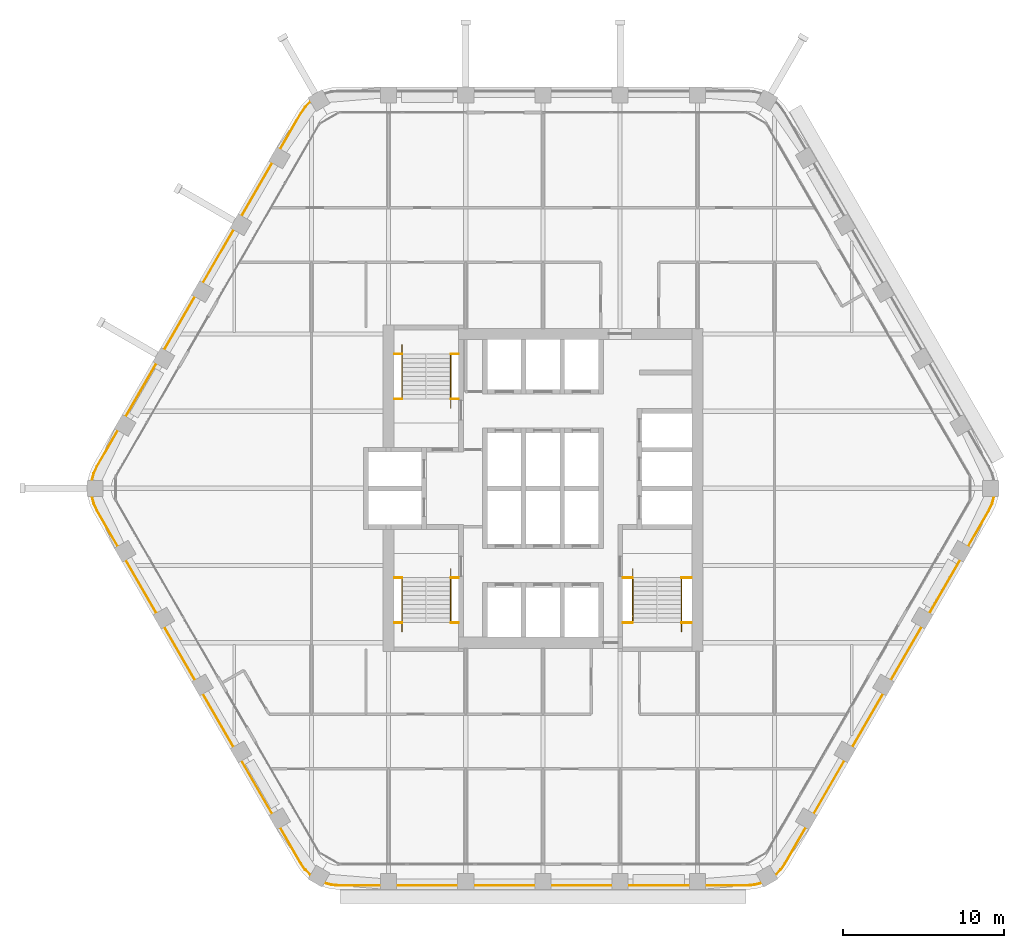
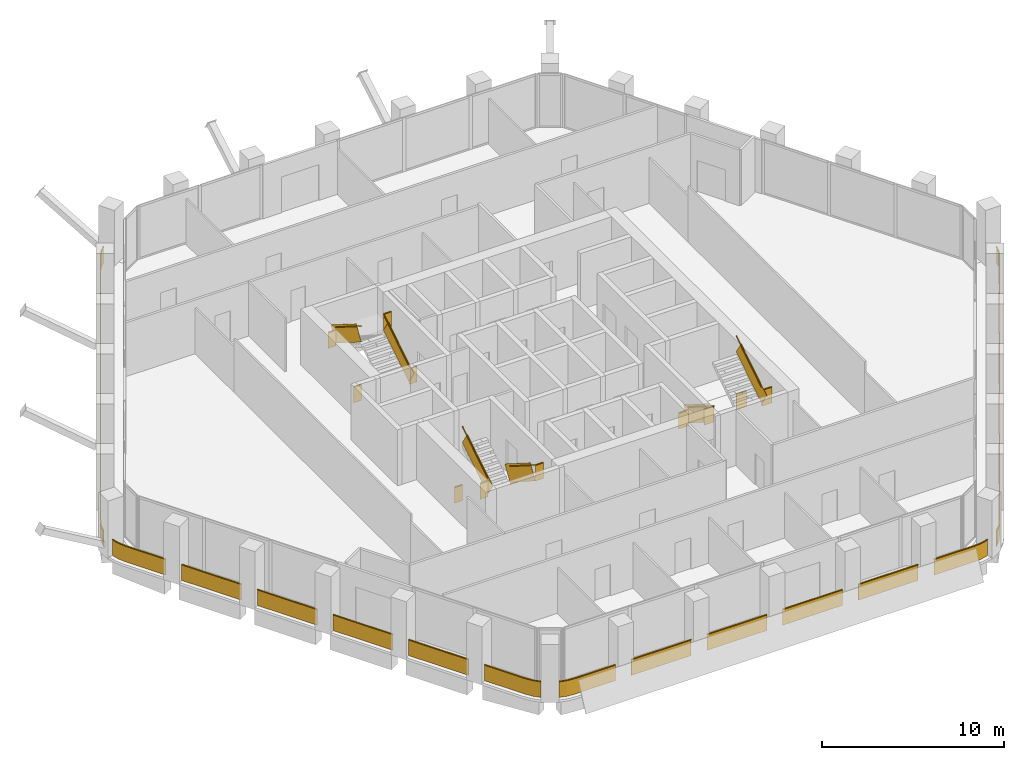
# One storey, part 15 of 16: 10 railings.
"""IFC4 building model written with IfcOpenShell, lengths in metres."""

from ifc_helpers import new_model, si_unit, direction, frame, frame_2d, origin, origin_2d, place, context, subcontext, project, spatial, rectangle, extrude, material, type_object, element, save


model = new_model("IFC4")

# Units and contexts
model_context = context("Model", 3, precision=1e-05, world=origin(), true_north=direction((0.0, 1.0)))
body_context = subcontext(model_context, "Body", "Model", "MODEL_VIEW")
ifc_project = project(units=[si_unit("LENGTHUNIT", "METRE"), si_unit("AREAUNIT", "SQUARE_METRE"), si_unit("VOLUMEUNIT", "CUBIC_METRE"), si_unit("PLANEANGLEUNIT", "RADIAN"), si_unit("MASSUNIT", "GRAM", prefix="KILO")], contexts=[model_context])

# Site, building, storey
site_placement = place(None, origin())
site = spatial("IfcSite", under=ifc_project, at=site_placement, CompositionType="ELEMENT")
building_placement = place(site_placement, origin())
building = spatial("IfcBuilding", under=site, at=building_placement, Name="Kolab Exchange Tower", CompositionType="ELEMENT")
storey_placement = place(building_placement, frame((0.0, 0.0, 146.60009765625)))
storey = spatial("IfcBuildingStorey", under=building, at=storey_placement, Name="L29", CompositionType="ELEMENT", Elevation=146.60009765625)

# Railings
ifc_material_1 = material(Name="Stainless steel 316", Category="steel")
railing_type_1 = type_object("IfcRailingType", Name="GUARD 1100", PredefinedType="GUARDRAIL", material=ifc_material_1)
railing_1_placement = place(storey_placement, frame((-9.25, 5.550048828125, 0.0)))
element("IfcRailing", 1, at=railing_1_placement, inside=storey, type_object=railing_type_1, Name="Guard ST1", PredefinedType="GUARDRAIL", context=body_context, shape_type="SweptSolid", body=[
    extrude(rectangle(XDim=0.05, YDim=0.05, at=origin_2d()), frame((0.0, 0.0, 1.0751953125), z_axis=(1.0, 0.0, 0.0), x_axis=(0.0, 1.0, 0.0)), (0.0, 0.0, 1.0), 0.489990234375),
    extrude(rectangle(XDim=0.012, YDim=1.05009765625, at=frame_2d((0.0, 0.525146484375))), frame((0.0, 0.0, 0.0), z_axis=(1.0, 0.0, 0.0), x_axis=(0.0, 1.0, 0.0)), (0.0, 0.0, 1.0), 0.489990234375),
    extrude(rectangle(XDim=0.05, YDim=0.05, at=origin_2d()), frame((3.510009765625, 0.0, 1.0751953125), z_axis=(1.0, 0.0, 0.0), x_axis=(0.0, 1.0, 0.0)), (0.0, 0.0, 1.0), 0.489990234375),
    extrude(rectangle(XDim=0.012, YDim=1.05009765625, at=frame_2d((0.0, 0.525146484375))), frame((3.510009765625, 0.0, 0.0), z_axis=(1.0, 0.0, 0.0), x_axis=(0.0, 1.0, 0.0)), (0.0, 0.0, 1.0), 0.489990234375),
    extrude(rectangle(XDim=0.05, YDim=0.05, at=origin_2d()), frame((0.0, 2.800048828125, 3.025146484375), z_axis=(1.0, 0.0, 0.0), x_axis=(0.0, 1.0, 0.0)), (0.0, 0.0, 1.0), 0.489990234375),
    extrude(rectangle(XDim=0.012, YDim=1.05009765625, at=frame_2d((0.0, 0.525146484375))), frame((0.0, 2.800048828125, 1.949951171875), z_axis=(1.0, 0.0, 0.0), x_axis=(0.0, 1.0, 0.0)), (0.0, 0.0, 1.0), 0.489990234375),
    extrude(rectangle(XDim=0.05, YDim=0.05, at=origin_2d()), frame((3.510009765625, 2.800048828125, 3.025146484375), z_axis=(1.0, 0.0, 0.0), x_axis=(0.0, 1.0, 0.0)), (0.0, 0.0, 1.0), 0.489990234375),
    extrude(rectangle(XDim=0.012, YDim=1.05009765625, at=frame_2d((0.0, 0.525146484375))), frame((3.510009765625, 2.800048828125, 1.949951171875), z_axis=(1.0, 0.0, 0.0), x_axis=(0.0, 1.0, 0.0)), (0.0, 0.0, 1.0), 0.489990234375),
])
railing_2_placement = place(storey_placement, frame((-5.739990234375, 5.550048828125, 0.17724609375)))
element("IfcRailing", 2, at=railing_2_placement, inside=storey, type_object=railing_type_1, Name="Handrail guard ST1", PredefinedType="GUARDRAIL", context=body_context, shape_type="SweptSolid", body=[
    extrude(rectangle(XDim=0.05, YDim=0.05, at=origin_2d()), frame((0.0, 0.0, 1.0751953125), z_axis=(0.0, 0.844908973607, 0.534910110503), x_axis=(-1.0, 0.0, 0.0)), (0.0, 0.0, 1.0), 3.31396484375),
    extrude(rectangle(XDim=0.012, YDim=1.05009765625, at=frame_2d((0.0, 0.525146484375))), frame((0.0, 0.0, 0.0), z_axis=(0.0, 0.844908973607, 0.534910110503), x_axis=(-1.0, 0.0, 0.0)), (0.0, 0.0, 1.0), 3.31396484375),
    extrude(rectangle(XDim=0.05, YDim=0.05, at=origin_2d()), frame((-3.02001953125, 2.800048828125, 3.025146484375), z_axis=(0.0, -0.844908973607, 0.534910110503), x_axis=(1.0, 0.0, 0.0)), (0.0, 0.0, 1.0), 3.31396484375),
    extrude(rectangle(XDim=0.012, YDim=1.05009765625, at=frame_2d((0.0, 0.525146484375))), frame((-3.02001953125, 2.800048828125, 1.949951171875), z_axis=(0.0, -0.844908973607, 0.534910110503), x_axis=(1.0, 0.0, 0.0)), (0.0, 0.0, 1.0), 3.31396484375),
])
railing_3_placement = place(storey_placement, frame((-9.25, -5.550048828125, 0.0)))
element("IfcRailing", 3, at=railing_3_placement, inside=storey, type_object=railing_type_1, Name="Guard ST3", PredefinedType="GUARDRAIL", context=body_context, shape_type="SweptSolid", body=[
    extrude(rectangle(XDim=0.05, YDim=0.05, at=origin_2d()), frame((0.0, 0.0, 1.0751953125), z_axis=(1.0, 0.0, 0.0), x_axis=(0.0, 1.0, 0.0)), (0.0, 0.0, 1.0), 0.489990234375),
    extrude(rectangle(XDim=0.012, YDim=1.05009765625, at=frame_2d((0.0, 0.525146484375))), frame((0.0, 0.0, 0.0), z_axis=(1.0, 0.0, 0.0), x_axis=(0.0, 1.0, 0.0)), (0.0, 0.0, 1.0), 0.489990234375),
    extrude(rectangle(XDim=0.05, YDim=0.05, at=origin_2d()), frame((3.510009765625, 0.0, 1.0751953125), z_axis=(1.0, 0.0, 0.0), x_axis=(0.0, 1.0, 0.0)), (0.0, 0.0, 1.0), 0.489990234375),
    extrude(rectangle(XDim=0.012, YDim=1.05009765625, at=frame_2d((0.0, 0.525146484375))), frame((3.510009765625, 0.0, 0.0), z_axis=(1.0, 0.0, 0.0), x_axis=(0.0, 1.0, 0.0)), (0.0, 0.0, 1.0), 0.489990234375),
    extrude(rectangle(XDim=0.05, YDim=0.05, at=origin_2d()), frame((0.0, -2.800048828125, 3.025146484375), z_axis=(1.0, 0.0, 0.0), x_axis=(0.0, 1.0, 0.0)), (0.0, 0.0, 1.0), 0.489990234375),
    extrude(rectangle(XDim=0.012, YDim=1.05009765625, at=frame_2d((0.0, 0.525146484375))), frame((0.0, -2.800048828125, 1.949951171875), z_axis=(1.0, 0.0, 0.0), x_axis=(0.0, 1.0, 0.0)), (0.0, 0.0, 1.0), 0.489990234375),
    extrude(rectangle(XDim=0.05, YDim=0.05, at=origin_2d()), frame((3.510009765625, -2.800048828125, 3.025146484375), z_axis=(1.0, 0.0, 0.0), x_axis=(0.0, 1.0, 0.0)), (0.0, 0.0, 1.0), 0.489990234375),
    extrude(rectangle(XDim=0.012, YDim=1.05009765625, at=frame_2d((0.0, 0.525146484375))), frame((3.510009765625, -2.800048828125, 1.949951171875), z_axis=(1.0, 0.0, 0.0), x_axis=(0.0, 1.0, 0.0)), (0.0, 0.0, 1.0), 0.489990234375),
])
railing_4_placement = place(storey_placement, frame((-5.739990234375, -5.550048828125, 0.17724609375)))
element("IfcRailing", 4, at=railing_4_placement, inside=storey, type_object=railing_type_1, Name="Handrail guard ST3", PredefinedType="GUARDRAIL", context=body_context, shape_type="SweptSolid", body=[
    extrude(rectangle(XDim=0.05, YDim=0.05, at=origin_2d()), frame((0.0, 0.0, 1.0751953125), z_axis=(0.0, -0.844908973607, 0.534910110503), x_axis=(1.0, 0.0, 0.0)), (0.0, 0.0, 1.0), 3.31396484375),
    extrude(rectangle(XDim=0.012, YDim=1.05009765625, at=frame_2d((0.0, 0.525146484375))), frame((0.0, 0.0, 0.0), z_axis=(0.0, -0.844908973607, 0.534910110503), x_axis=(1.0, 0.0, 0.0)), (0.0, 0.0, 1.0), 3.31396484375),
    extrude(rectangle(XDim=0.05, YDim=0.05, at=origin_2d()), frame((-3.02001953125, -2.800048828125, 3.025146484375), z_axis=(0.0, 0.844908973607, 0.534910110503), x_axis=(-1.0, 0.0, 0.0)), (0.0, 0.0, 1.0), 3.31396484375),
    extrude(rectangle(XDim=0.012, YDim=1.05009765625, at=frame_2d((0.0, 0.525146484375))), frame((-3.02001953125, -2.800048828125, 1.949951171875), z_axis=(0.0, 0.844908973607, 0.534910110503), x_axis=(-1.0, 0.0, 0.0)), (0.0, 0.0, 1.0), 3.31396484375),
])
railing_5_placement = place(storey_placement, frame((4.949951171875, -5.550048828125, 0.0)))
element("IfcRailing", 5, at=railing_5_placement, inside=storey, type_object=railing_type_1, Name="Guard ST2", PredefinedType="GUARDRAIL", context=body_context, shape_type="SweptSolid", body=[
    extrude(rectangle(XDim=0.05, YDim=0.05, at=origin_2d()), frame((0.0, 0.0, 1.0751953125), z_axis=(1.0, 0.0, 0.0), x_axis=(0.0, 1.0, 0.0)), (0.0, 0.0, 1.0), 0.64013671875),
    extrude(rectangle(XDim=0.012, YDim=1.05009765625, at=frame_2d((0.0, 0.525146484375))), frame((0.0, 0.0, 0.0), z_axis=(1.0, 0.0, 0.0), x_axis=(0.0, 1.0, 0.0)), (0.0, 0.0, 1.0), 0.64013671875),
    extrude(rectangle(XDim=0.05, YDim=0.05, at=origin_2d()), frame((3.66015625, 0.0, 1.0751953125), z_axis=(1.0, 0.0, 0.0), x_axis=(0.0, 1.0, 0.0)), (0.0, 0.0, 1.0), 0.639892578125),
    extrude(rectangle(XDim=0.012, YDim=1.05009765625, at=frame_2d((0.0, 0.525146484375))), frame((3.66015625, 0.0, 0.0), z_axis=(1.0, 0.0, 0.0), x_axis=(0.0, 1.0, 0.0)), (0.0, 0.0, 1.0), 0.639892578125),
    extrude(rectangle(XDim=0.05, YDim=0.05, at=origin_2d()), frame((0.0, -2.800048828125, 3.025146484375), z_axis=(1.0, 0.0, 0.0), x_axis=(0.0, 1.0, 0.0)), (0.0, 0.0, 1.0), 0.64013671875),
    extrude(rectangle(XDim=0.012, YDim=1.05009765625, at=frame_2d((0.0, 0.525146484375))), frame((0.0, -2.800048828125, 1.949951171875), z_axis=(1.0, 0.0, 0.0), x_axis=(0.0, 1.0, 0.0)), (0.0, 0.0, 1.0), 0.64013671875),
    extrude(rectangle(XDim=0.05, YDim=0.05, at=origin_2d()), frame((3.66015625, -2.800048828125, 3.025146484375), z_axis=(1.0, 0.0, 0.0), x_axis=(0.0, 1.0, 0.0)), (0.0, 0.0, 1.0), 0.639892578125),
    extrude(rectangle(XDim=0.012, YDim=1.05009765625, at=frame_2d((0.0, 0.525146484375))), frame((3.66015625, -2.800048828125, 1.949951171875), z_axis=(1.0, 0.0, 0.0), x_axis=(0.0, 1.0, 0.0)), (0.0, 0.0, 1.0), 0.639892578125),
])
railing_6_placement = place(storey_placement, frame((5.590087890625, -5.550048828125, 0.17724609375)))
element("IfcRailing", 6, at=railing_6_placement, inside=storey, type_object=railing_type_1, Name="Handrail guard ST2", PredefinedType="GUARDRAIL", context=body_context, shape_type="SweptSolid", body=[
    extrude(rectangle(XDim=0.05, YDim=0.05, at=origin_2d()), frame((0.0, 0.0, 1.0751953125), z_axis=(0.0, -0.844908973607, 0.534910110503), x_axis=(1.0, 0.0, 0.0)), (0.0, 0.0, 1.0), 3.31396484375),
    extrude(rectangle(XDim=0.012, YDim=1.05009765625, at=frame_2d((0.0, 0.525146484375))), frame((0.0, 0.0, 0.0), z_axis=(0.0, -0.844908973607, 0.534910110503), x_axis=(1.0, 0.0, 0.0)), (0.0, 0.0, 1.0), 3.31396484375),
    extrude(rectangle(XDim=0.05, YDim=0.05, at=origin_2d()), frame((3.02001953125, -2.800048828125, 3.025146484375), z_axis=(0.0, 0.844908973607, 0.534910110503), x_axis=(-1.0, 0.0, 0.0)), (0.0, 0.0, 1.0), 3.31396484375),
    extrude(rectangle(XDim=0.012, YDim=1.05009765625, at=frame_2d((0.0, 0.525146484375))), frame((3.02001953125, -2.800048828125, 1.949951171875), z_axis=(0.0, 0.844908973607, 0.534910110503), x_axis=(-1.0, 0.0, 0.0)), (0.0, 0.0, 1.0), 3.31396484375),
])
ifc_material_2 = material(Name="Steel S235", Category="steel")
railing_type_2 = type_object("IfcRailingType", Name="GUARD 1100 GLASS BALUSTRADE AND STEEL TOP RAIL", PredefinedType="GUARDRAIL", material=ifc_material_2)
railing_7_placement = place(storey_placement, frame((14.4501953125, -24.033447265625, 0.0)))
element("IfcRailing", 7, at=railing_7_placement, inside=storey, type_object=railing_type_2, Name="Guard", PredefinedType="GUARDRAIL", context=body_context, shape_type="SweptSolid", body=[
    extrude(rectangle(XDim=0.05, YDim=0.05, at=origin_2d()), frame((0.0, 0.0, 1.0751953125), z_axis=(0.70737286085, 0.706840601361, 0.0), x_axis=(-0.706840601361, 0.70737286085, 0.0)), (0.0, 0.0, 1.0), 0.458740234375),
    extrude(rectangle(XDim=0.012, YDim=1.05009765625, at=frame_2d((0.0, 0.525146484375))), frame((0.0, 0.0, 0.0), z_axis=(0.70737286085, 0.706840601361, 0.0), x_axis=(-0.706840601361, 0.70737286085, 0.0)), (0.0, 0.0, 1.0), 0.458740234375),
    extrude(rectangle(XDim=0.05, YDim=0.05, at=origin_2d()), frame((0.324462890625, 0.32421875, 1.0751953125), z_axis=(0.573599091554, 0.819136180478, 0.0), x_axis=(-0.819136180478, 0.573599091554, 0.0)), (0.0, 0.0, 1.0), 0.479248046875),
    extrude(rectangle(XDim=0.012, YDim=1.05009765625, at=frame_2d((0.0, 0.525146484375))), frame((0.324462890625, 0.32421875, 0.0), z_axis=(0.573599091554, 0.819136180478, 0.0), x_axis=(-0.819136180478, 0.573599091554, 0.0)), (0.0, 0.0, 1.0), 0.479248046875),
    extrude(rectangle(XDim=0.05, YDim=0.05, at=origin_2d()), frame((0.599365234375, 0.716796875, 1.0751953125), z_axis=(0.499952873616, 0.866052610505, 0.0), x_axis=(-0.866052610505, 0.499952873616, 0.0)), (0.0, 0.0, 1.0), 2.568115234375),
    extrude(rectangle(XDim=0.012, YDim=1.05009765625, at=frame_2d((0.0, 0.525146484375))), frame((0.599365234375, 0.716796875, 0.0), z_axis=(0.499952873616, 0.866052610505, 0.0), x_axis=(-0.866052610505, 0.499952873616, 0.0)), (0.0, 0.0, 1.0), 2.568115234375),
    extrude(rectangle(XDim=0.05, YDim=0.05, at=origin_2d()), frame((2.38330078125, 3.806884765625, 1.0751953125), z_axis=(0.499994975061, 0.866028304915, 0.0), x_axis=(-0.866028304915, 0.499994975061, 0.0)), (0.0, 0.0, 1.0), 3.7998046875),
    extrude(rectangle(XDim=0.012, YDim=1.05009765625, at=frame_2d((0.0, 0.525146484375))), frame((2.38330078125, 3.806884765625, 0.0), z_axis=(0.499994975061, 0.866028304915, 0.0), x_axis=(-0.866028304915, 0.499994975061, 0.0)), (0.0, 0.0, 1.0), 3.7998046875),
    extrude(rectangle(XDim=0.05, YDim=0.05, at=origin_2d()), frame((4.783203125, 7.9638671875, 1.0751953125), z_axis=(0.500043160704, 0.866000483506, 0.0), x_axis=(-0.866000483506, 0.500043160704, 0.0)), (0.0, 0.0, 1.0), 3.800048828125),
    extrude(rectangle(XDim=0.012, YDim=1.05009765625, at=frame_2d((0.0, 0.525146484375))), frame((4.783203125, 7.9638671875, 0.0), z_axis=(0.500043160704, 0.866000483506, 0.0), x_axis=(-0.866000483506, 0.500043160704, 0.0)), (0.0, 0.0, 1.0), 3.800048828125),
    extrude(rectangle(XDim=0.05, YDim=0.05, at=origin_2d()), frame((7.183349609375, 12.12060546875, 1.0751953125), z_axis=(0.499967155389, 0.866044365799, 0.0), x_axis=(-0.866044365799, 0.499967155389, 0.0)), (0.0, 0.0, 1.0), 3.800048828125),
    extrude(rectangle(XDim=0.012, YDim=1.05009765625, at=frame_2d((0.0, 0.525146484375))), frame((7.183349609375, 12.12060546875, 0.0), z_axis=(0.499967155389, 0.866044365799, 0.0), x_axis=(-0.866044365799, 0.499967155389, 0.0)), (0.0, 0.0, 1.0), 3.800048828125),
    extrude(rectangle(XDim=0.05, YDim=0.05, at=origin_2d()), frame((9.583251953125, 16.277587890625, 1.0751953125), z_axis=(0.500015340139, 0.86601654697, 0.0), x_axis=(-0.86601654697, 0.500015340139, 0.0)), (0.0, 0.0, 1.0), 3.80029296875),
    extrude(rectangle(XDim=0.012, YDim=1.05009765625, at=frame_2d((0.0, 0.525146484375))), frame((9.583251953125, 16.277587890625, 0.0), z_axis=(0.500015340139, 0.86601654697, 0.0), x_axis=(-0.86601654697, 0.500015340139, 0.0)), (0.0, 0.0, 1.0), 3.80029296875),
    extrude(rectangle(XDim=0.05, YDim=0.05, at=origin_2d()), frame((11.9833984375, 20.4345703125, 1.0751953125), z_axis=(0.499994038704, 0.866028845513, 0.0), x_axis=(-0.866028845513, 0.499994038704, 0.0)), (0.0, 0.0, 1.0), 2.56787109375),
    extrude(rectangle(XDim=0.012, YDim=1.05009765625, at=frame_2d((0.0, 0.525146484375))), frame((11.9833984375, 20.4345703125, 0.0), z_axis=(0.499994038704, 0.866028845513, 0.0), x_axis=(-0.866028845513, 0.499994038704, 0.0)), (0.0, 0.0, 1.0), 2.56787109375),
    extrude(rectangle(XDim=0.05, YDim=0.05, at=origin_2d()), frame((13.267333984375, 22.658447265625, 1.0751953125), z_axis=(0.422801802984, 0.906222177721, 0.0), x_axis=(-0.906222177721, 0.422801802984, 0.0)), (0.0, 0.0, 1.0), 0.479248046875),
    extrude(rectangle(XDim=0.012, YDim=1.05009765625, at=frame_2d((0.0, 0.525146484375))), frame((13.267333984375, 22.658447265625, 0.0), z_axis=(0.422801802984, 0.906222177721, 0.0), x_axis=(-0.906222177721, 0.422801802984, 0.0)), (0.0, 0.0, 1.0), 0.479248046875),
    extrude(rectangle(XDim=0.05, YDim=0.05, at=origin_2d()), frame((13.469970703125, 23.0927734375, 1.0751953125), z_axis=(0.25865627591, 0.965969425465, 0.0), x_axis=(-0.965969425465, 0.25865627591, 0.0)), (0.0, 0.0, 1.0), 0.458740234375),
    extrude(rectangle(XDim=0.012, YDim=1.05009765625, at=frame_2d((0.0, 0.525146484375))), frame((13.469970703125, 23.0927734375, 0.0), z_axis=(0.25865627591, 0.965969425465, 0.0), x_axis=(-0.965969425465, 0.25865627591, 0.0)), (0.0, 0.0, 1.0), 0.458740234375),
])
railing_8_placement = place(storey_placement, frame((-13.588623046875, -24.531005859375, 0.0)))
element("IfcRailing", 8, at=railing_8_placement, inside=storey, type_object=railing_type_2, Name="Guard", PredefinedType="GUARDRAIL", context=body_context, shape_type="SweptSolid", body=[
    extrude(rectangle(XDim=0.05, YDim=0.05, at=origin_2d()), frame((0.0, 0.0, 1.0751953125), z_axis=(0.965969425465, -0.25865627591, 0.0), x_axis=(0.25865627591, 0.965969425465, 0.0)), (0.0, 0.0, 1.0), 0.458740234375),
    extrude(rectangle(XDim=0.012, YDim=1.05009765625, at=frame_2d((0.0, 0.525146484375))), frame((0.0, 0.0, 0.0), z_axis=(0.965969425465, -0.25865627591, 0.0), x_axis=(0.25865627591, 0.965969425465, 0.0)), (0.0, 0.0, 1.0), 0.458740234375),
    extrude(rectangle(XDim=0.05, YDim=0.05, at=origin_2d()), frame((0.443115234375, -0.11865234375, 1.0751953125), z_axis=(0.996156034798, -0.087596542937, 0.0), x_axis=(0.087596542937, 0.996156034798, 0.0)), (0.0, 0.0, 1.0), 0.4794921875),
    extrude(rectangle(XDim=0.012, YDim=1.05009765625, at=frame_2d((0.0, 0.525146484375))), frame((0.443115234375, -0.11865234375, 0.0), z_axis=(0.996156034798, -0.087596542937, 0.0), x_axis=(0.087596542937, 0.996156034798, 0.0)), (0.0, 0.0, 1.0), 0.4794921875),
    extrude(rectangle(XDim=0.05, YDim=0.05, at=origin_2d()), frame((0.920654296875, -0.16064453125, 1.0751953125), z_axis=(1.0, 0.0, 0.0), x_axis=(0.0, 1.0, 0.0)), (0.0, 0.0, 1.0), 2.56787109375),
    extrude(rectangle(XDim=0.012, YDim=1.05009765625, at=frame_2d((0.0, 0.525146484375))), frame((0.920654296875, -0.16064453125, 0.0), z_axis=(1.0, 0.0, 0.0), x_axis=(0.0, 1.0, 0.0)), (0.0, 0.0, 1.0), 2.56787109375),
    extrude(rectangle(XDim=0.05, YDim=0.05, at=origin_2d()), frame((4.488525390625, -0.16064453125, 1.0751953125), z_axis=(1.0, 0.0, 0.0), x_axis=(0.0, 1.0, 0.0)), (0.0, 0.0, 1.0), 3.800048828125),
    extrude(rectangle(XDim=0.012, YDim=1.05009765625, at=frame_2d((0.0, 0.525146484375))), frame((4.488525390625, -0.16064453125, 0.0), z_axis=(1.0, 0.0, 0.0), x_axis=(0.0, 1.0, 0.0)), (0.0, 0.0, 1.0), 3.800048828125),
    extrude(rectangle(XDim=0.05, YDim=0.05, at=origin_2d()), frame((9.28857421875, -0.16064453125, 1.0751953125), z_axis=(1.0, 0.0, 0.0), x_axis=(0.0, 1.0, 0.0)), (0.0, 0.0, 1.0), 3.800048828125),
    extrude(rectangle(XDim=0.012, YDim=1.05009765625, at=frame_2d((0.0, 0.525146484375))), frame((9.28857421875, -0.16064453125, 0.0), z_axis=(1.0, 0.0, 0.0), x_axis=(0.0, 1.0, 0.0)), (0.0, 0.0, 1.0), 3.800048828125),
    extrude(rectangle(XDim=0.05, YDim=0.05, at=origin_2d()), frame((14.088623046875, -0.16064453125, 1.0751953125), z_axis=(1.0, 0.0, 0.0), x_axis=(0.0, 1.0, 0.0)), (0.0, 0.0, 1.0), 3.800048828125),
    extrude(rectangle(XDim=0.012, YDim=1.05009765625, at=frame_2d((0.0, 0.525146484375))), frame((14.088623046875, -0.16064453125, 0.0), z_axis=(1.0, 0.0, 0.0), x_axis=(0.0, 1.0, 0.0)), (0.0, 0.0, 1.0), 3.800048828125),
    extrude(rectangle(XDim=0.05, YDim=0.05, at=origin_2d()), frame((18.888671875, -0.16064453125, 1.0751953125), z_axis=(1.0, 0.0, 0.0), x_axis=(0.0, 1.0, 0.0)), (0.0, 0.0, 1.0), 3.800048828125),
    extrude(rectangle(XDim=0.012, YDim=1.05009765625, at=frame_2d((0.0, 0.525146484375))), frame((18.888671875, -0.16064453125, 0.0), z_axis=(1.0, 0.0, 0.0), x_axis=(0.0, 1.0, 0.0)), (0.0, 0.0, 1.0), 3.800048828125),
    extrude(rectangle(XDim=0.05, YDim=0.05, at=origin_2d()), frame((23.688720703125, -0.16064453125, 1.0751953125), z_axis=(1.0, 0.0, 0.0), x_axis=(0.0, 1.0, 0.0)), (0.0, 0.0, 1.0), 2.56787109375),
    extrude(rectangle(XDim=0.012, YDim=1.05009765625, at=frame_2d((0.0, 0.525146484375))), frame((23.688720703125, -0.16064453125, 0.0), z_axis=(1.0, 0.0, 0.0), x_axis=(0.0, 1.0, 0.0)), (0.0, 0.0, 1.0), 2.56787109375),
    extrude(rectangle(XDim=0.05, YDim=0.05, at=origin_2d()), frame((26.256591796875, -0.16064453125, 1.0751953125), z_axis=(0.996156034798, 0.087596542937, 0.0), x_axis=(-0.087596542937, 0.996156034798, 0.0)), (0.0, 0.0, 1.0), 0.4794921875),
    extrude(rectangle(XDim=0.012, YDim=1.05009765625, at=frame_2d((0.0, 0.525146484375))), frame((26.256591796875, -0.16064453125, 0.0), z_axis=(0.996156034798, 0.087596542937, 0.0), x_axis=(-0.087596542937, 0.996156034798, 0.0)), (0.0, 0.0, 1.0), 0.4794921875),
    extrude(rectangle(XDim=0.05, YDim=0.05, at=origin_2d()), frame((26.734130859375, -0.11865234375, 1.0751953125), z_axis=(0.965969425465, 0.25865627591, 0.0), x_axis=(-0.25865627591, 0.965969425465, 0.0)), (0.0, 0.0, 1.0), 0.458740234375),
    extrude(rectangle(XDim=0.012, YDim=1.05009765625, at=frame_2d((0.0, 0.525146484375))), frame((26.734130859375, -0.11865234375, 0.0), z_axis=(0.965969425465, 0.25865627591, 0.0), x_axis=(-0.25865627591, 0.965969425465, 0.0)), (0.0, 0.0, 1.0), 0.458740234375),
])
railing_9_placement = place(storey_placement, frame((-28.038818359375, -0.49755859375, 0.0)))
element("IfcRailing", 9, at=railing_9_placement, inside=storey, type_object=railing_type_2, Name="Guard", PredefinedType="GUARDRAIL", context=body_context, shape_type="SweptSolid", body=[
    extrude(rectangle(XDim=0.05, YDim=0.05, at=origin_2d()), frame((0.0, 0.0, 1.0751953125), z_axis=(0.25865627591, -0.965969425465, 0.0), x_axis=(0.965969425465, 0.25865627591, 0.0)), (0.0, 0.0, 1.0), 0.458740234375),
    extrude(rectangle(XDim=0.012, YDim=1.05009765625, at=frame_2d((0.0, 0.525146484375))), frame((0.0, 0.0, 0.0), z_axis=(0.25865627591, -0.965969425465, 0.0), x_axis=(0.965969425465, 0.25865627591, 0.0)), (0.0, 0.0, 1.0), 0.458740234375),
    extrude(rectangle(XDim=0.05, YDim=0.05, at=origin_2d()), frame((0.11865234375, -0.443115234375, 1.0751953125), z_axis=(0.422801802984, -0.906222177721, 0.0), x_axis=(0.906222177721, 0.422801802984, 0.0)), (0.0, 0.0, 1.0), 0.479248046875),
    extrude(rectangle(XDim=0.012, YDim=1.05009765625, at=frame_2d((0.0, 0.525146484375))), frame((0.11865234375, -0.443115234375, 0.0), z_axis=(0.422801802984, -0.906222177721, 0.0), x_axis=(0.906222177721, 0.422801802984, 0.0)), (0.0, 0.0, 1.0), 0.479248046875),
    extrude(rectangle(XDim=0.05, YDim=0.05, at=origin_2d()), frame((0.3212890625, -0.87744140625, 1.0751953125), z_axis=(0.499994038704, -0.866028845513, 0.0), x_axis=(0.866028845513, 0.499994038704, 0.0)), (0.0, 0.0, 1.0), 2.56787109375),
    extrude(rectangle(XDim=0.012, YDim=1.05009765625, at=frame_2d((0.0, 0.525146484375))), frame((0.3212890625, -0.87744140625, 0.0), z_axis=(0.499994038704, -0.866028845513, 0.0), x_axis=(0.866028845513, 0.499994038704, 0.0)), (0.0, 0.0, 1.0), 2.56787109375),
    extrude(rectangle(XDim=0.05, YDim=0.05, at=origin_2d()), frame((2.105224609375, -3.96728515625, 1.0751953125), z_axis=(0.500015340139, -0.86601654697, 0.0), x_axis=(0.86601654697, 0.500015340139, 0.0)), (0.0, 0.0, 1.0), 3.80029296875),
    extrude(rectangle(XDim=0.012, YDim=1.05009765625, at=frame_2d((0.0, 0.525146484375))), frame((2.105224609375, -3.96728515625, 0.0), z_axis=(0.500015340139, -0.86601654697, 0.0), x_axis=(0.86601654697, 0.500015340139, 0.0)), (0.0, 0.0, 1.0), 3.80029296875),
    extrude(rectangle(XDim=0.05, YDim=0.05, at=origin_2d()), frame((4.50537109375, -8.124267578125, 1.0751953125), z_axis=(0.499967155389, -0.866044365799, 0.0), x_axis=(0.866044365799, 0.499967155389, 0.0)), (0.0, 0.0, 1.0), 3.800048828125),
    extrude(rectangle(XDim=0.012, YDim=1.05009765625, at=frame_2d((0.0, 0.525146484375))), frame((4.50537109375, -8.124267578125, 0.0), z_axis=(0.499967155389, -0.866044365799, 0.0), x_axis=(0.866044365799, 0.499967155389, 0.0)), (0.0, 0.0, 1.0), 3.800048828125),
    extrude(rectangle(XDim=0.05, YDim=0.05, at=origin_2d()), frame((6.9052734375, -12.28125, 1.0751953125), z_axis=(0.500043160704, -0.866000483506, 0.0), x_axis=(0.866000483506, 0.500043160704, 0.0)), (0.0, 0.0, 1.0), 3.800048828125),
    extrude(rectangle(XDim=0.012, YDim=1.05009765625, at=frame_2d((0.0, 0.525146484375))), frame((6.9052734375, -12.28125, 0.0), z_axis=(0.500043160704, -0.866000483506, 0.0), x_axis=(0.866000483506, 0.500043160704, 0.0)), (0.0, 0.0, 1.0), 3.800048828125),
    extrude(rectangle(XDim=0.05, YDim=0.05, at=origin_2d()), frame((9.305419921875, -16.438232421875, 1.0751953125), z_axis=(0.499994975061, -0.866028304915, 0.0), x_axis=(0.866028304915, 0.499994975061, 0.0)), (0.0, 0.0, 1.0), 3.7998046875),
    extrude(rectangle(XDim=0.012, YDim=1.05009765625, at=frame_2d((0.0, 0.525146484375))), frame((9.305419921875, -16.438232421875, 0.0), z_axis=(0.499994975061, -0.866028304915, 0.0), x_axis=(0.866028304915, 0.499994975061, 0.0)), (0.0, 0.0, 1.0), 3.7998046875),
    extrude(rectangle(XDim=0.05, YDim=0.05, at=origin_2d()), frame((11.705322265625, -20.594970703125, 1.0751953125), z_axis=(0.499952873616, -0.866052610505, 0.0), x_axis=(0.866052610505, 0.499952873616, 0.0)), (0.0, 0.0, 1.0), 2.568115234375),
    extrude(rectangle(XDim=0.012, YDim=1.05009765625, at=frame_2d((0.0, 0.525146484375))), frame((11.705322265625, -20.594970703125, 0.0), z_axis=(0.499952873616, -0.866052610505, 0.0), x_axis=(0.866052610505, 0.499952873616, 0.0)), (0.0, 0.0, 1.0), 2.568115234375),
    extrude(rectangle(XDim=0.05, YDim=0.05, at=origin_2d()), frame((12.9892578125, -22.819091796875, 1.0751953125), z_axis=(0.573599091554, -0.819136180478, 0.0), x_axis=(0.819136180478, 0.573599091554, 0.0)), (0.0, 0.0, 1.0), 0.479248046875),
    extrude(rectangle(XDim=0.012, YDim=1.05009765625, at=frame_2d((0.0, 0.525146484375))), frame((12.9892578125, -22.819091796875, 0.0), z_axis=(0.573599091554, -0.819136180478, 0.0), x_axis=(0.819136180478, 0.573599091554, 0.0)), (0.0, 0.0, 1.0), 0.479248046875),
    extrude(rectangle(XDim=0.05, YDim=0.05, at=origin_2d()), frame((13.26416015625, -23.211669921875, 1.0751953125), z_axis=(0.70737286085, -0.706840601361, 0.0), x_axis=(0.706840601361, 0.70737286085, 0.0)), (0.0, 0.0, 1.0), 0.458740234375),
    extrude(rectangle(XDim=0.012, YDim=1.05009765625, at=frame_2d((0.0, 0.525146484375))), frame((13.26416015625, -23.211669921875, 0.0), z_axis=(0.70737286085, -0.706840601361, 0.0), x_axis=(0.706840601361, 0.70737286085, 0.0)), (0.0, 0.0, 1.0), 0.458740234375),
])
railing_10_placement = place(storey_placement, frame((-14.4501953125, 24.033447265625, 0.0)))
element("IfcRailing", 10, at=railing_10_placement, inside=storey, type_object=railing_type_2, Name="Guard", PredefinedType="GUARDRAIL", context=body_context, shape_type="SweptSolid", body=[
    extrude(rectangle(XDim=0.05, YDim=0.05, at=origin_2d()), frame((0.0, 0.0, 1.0751953125), z_axis=(-0.70737286085, -0.706840601361, 0.0), x_axis=(0.706840601361, -0.70737286085, 0.0)), (0.0, 0.0, 1.0), 0.458740234375),
    extrude(rectangle(XDim=0.012, YDim=1.05009765625, at=frame_2d((0.0, 0.525146484375))), frame((0.0, 0.0, 0.0), z_axis=(-0.70737286085, -0.706840601361, 0.0), x_axis=(0.706840601361, -0.70737286085, 0.0)), (0.0, 0.0, 1.0), 0.458740234375),
    extrude(rectangle(XDim=0.05, YDim=0.05, at=origin_2d()), frame((-0.324462890625, -0.32421875, 1.0751953125), z_axis=(-0.573599091554, -0.819136180478, 0.0), x_axis=(0.819136180478, -0.573599091554, 0.0)), (0.0, 0.0, 1.0), 0.479248046875),
    extrude(rectangle(XDim=0.012, YDim=1.05009765625, at=frame_2d((0.0, 0.525146484375))), frame((-0.324462890625, -0.32421875, 0.0), z_axis=(-0.573599091554, -0.819136180478, 0.0), x_axis=(0.819136180478, -0.573599091554, 0.0)), (0.0, 0.0, 1.0), 0.479248046875),
    extrude(rectangle(XDim=0.05, YDim=0.05, at=origin_2d()), frame((-0.599365234375, -0.716796875, 1.0751953125), z_axis=(-0.499952873616, -0.866052610505, 0.0), x_axis=(0.866052610505, -0.499952873616, 0.0)), (0.0, 0.0, 1.0), 2.568115234375),
    extrude(rectangle(XDim=0.012, YDim=1.05009765625, at=frame_2d((0.0, 0.525146484375))), frame((-0.599365234375, -0.716796875, 0.0), z_axis=(-0.499952873616, -0.866052610505, 0.0), x_axis=(0.866052610505, -0.499952873616, 0.0)), (0.0, 0.0, 1.0), 2.568115234375),
    extrude(rectangle(XDim=0.05, YDim=0.05, at=origin_2d()), frame((-2.38330078125, -3.806884765625, 1.0751953125), z_axis=(-0.499994975061, -0.866028304915, 0.0), x_axis=(0.866028304915, -0.499994975061, 0.0)), (0.0, 0.0, 1.0), 3.7998046875),
    extrude(rectangle(XDim=0.012, YDim=1.05009765625, at=frame_2d((0.0, 0.525146484375))), frame((-2.38330078125, -3.806884765625, 0.0), z_axis=(-0.499994975061, -0.866028304915, 0.0), x_axis=(0.866028304915, -0.499994975061, 0.0)), (0.0, 0.0, 1.0), 3.7998046875),
    extrude(rectangle(XDim=0.05, YDim=0.05, at=origin_2d()), frame((-4.783203125, -7.9638671875, 1.0751953125), z_axis=(-0.500043160704, -0.866000483506, 0.0), x_axis=(0.866000483506, -0.500043160704, 0.0)), (0.0, 0.0, 1.0), 3.800048828125),
    extrude(rectangle(XDim=0.012, YDim=1.05009765625, at=frame_2d((0.0, 0.525146484375))), frame((-4.783203125, -7.9638671875, 0.0), z_axis=(-0.500043160704, -0.866000483506, 0.0), x_axis=(0.866000483506, -0.500043160704, 0.0)), (0.0, 0.0, 1.0), 3.800048828125),
    extrude(rectangle(XDim=0.05, YDim=0.05, at=origin_2d()), frame((-7.183349609375, -12.12060546875, 1.0751953125), z_axis=(-0.499967155389, -0.866044365799, 0.0), x_axis=(0.866044365799, -0.499967155389, 0.0)), (0.0, 0.0, 1.0), 3.800048828125),
    extrude(rectangle(XDim=0.012, YDim=1.05009765625, at=frame_2d((0.0, 0.525146484375))), frame((-7.183349609375, -12.12060546875, 0.0), z_axis=(-0.499967155389, -0.866044365799, 0.0), x_axis=(0.866044365799, -0.499967155389, 0.0)), (0.0, 0.0, 1.0), 3.800048828125),
    extrude(rectangle(XDim=0.05, YDim=0.05, at=origin_2d()), frame((-9.583251953125, -16.277587890625, 1.0751953125), z_axis=(-0.500015340139, -0.86601654697, 0.0), x_axis=(0.86601654697, -0.500015340139, 0.0)), (0.0, 0.0, 1.0), 3.80029296875),
    extrude(rectangle(XDim=0.012, YDim=1.05009765625, at=frame_2d((0.0, 0.525146484375))), frame((-9.583251953125, -16.277587890625, 0.0), z_axis=(-0.500015340139, -0.86601654697, 0.0), x_axis=(0.86601654697, -0.500015340139, 0.0)), (0.0, 0.0, 1.0), 3.80029296875),
    extrude(rectangle(XDim=0.05, YDim=0.05, at=origin_2d()), frame((-11.9833984375, -20.4345703125, 1.0751953125), z_axis=(-0.499994038704, -0.866028845513, 0.0), x_axis=(0.866028845513, -0.499994038704, 0.0)), (0.0, 0.0, 1.0), 2.56787109375),
    extrude(rectangle(XDim=0.012, YDim=1.05009765625, at=frame_2d((0.0, 0.525146484375))), frame((-11.9833984375, -20.4345703125, 0.0), z_axis=(-0.499994038704, -0.866028845513, 0.0), x_axis=(0.866028845513, -0.499994038704, 0.0)), (0.0, 0.0, 1.0), 2.56787109375),
    extrude(rectangle(XDim=0.05, YDim=0.05, at=origin_2d()), frame((-13.267333984375, -22.658447265625, 1.0751953125), z_axis=(-0.422801802984, -0.906222177721, 0.0), x_axis=(0.906222177721, -0.422801802984, 0.0)), (0.0, 0.0, 1.0), 0.479248046875),
    extrude(rectangle(XDim=0.012, YDim=1.05009765625, at=frame_2d((0.0, 0.525146484375))), frame((-13.267333984375, -22.658447265625, 0.0), z_axis=(-0.422801802984, -0.906222177721, 0.0), x_axis=(0.906222177721, -0.422801802984, 0.0)), (0.0, 0.0, 1.0), 0.479248046875),
    extrude(rectangle(XDim=0.05, YDim=0.05, at=origin_2d()), frame((-13.469970703125, -23.0927734375, 1.0751953125), z_axis=(-0.25865627591, -0.965969425465, 0.0), x_axis=(0.965969425465, -0.25865627591, 0.0)), (0.0, 0.0, 1.0), 0.458740234375),
    extrude(rectangle(XDim=0.012, YDim=1.05009765625, at=frame_2d((0.0, 0.525146484375))), frame((-13.469970703125, -23.0927734375, 0.0), z_axis=(-0.25865627591, -0.965969425465, 0.0), x_axis=(0.965969425465, -0.25865627591, 0.0)), (0.0, 0.0, 1.0), 0.458740234375),
])

save(model, "model.ifc")
